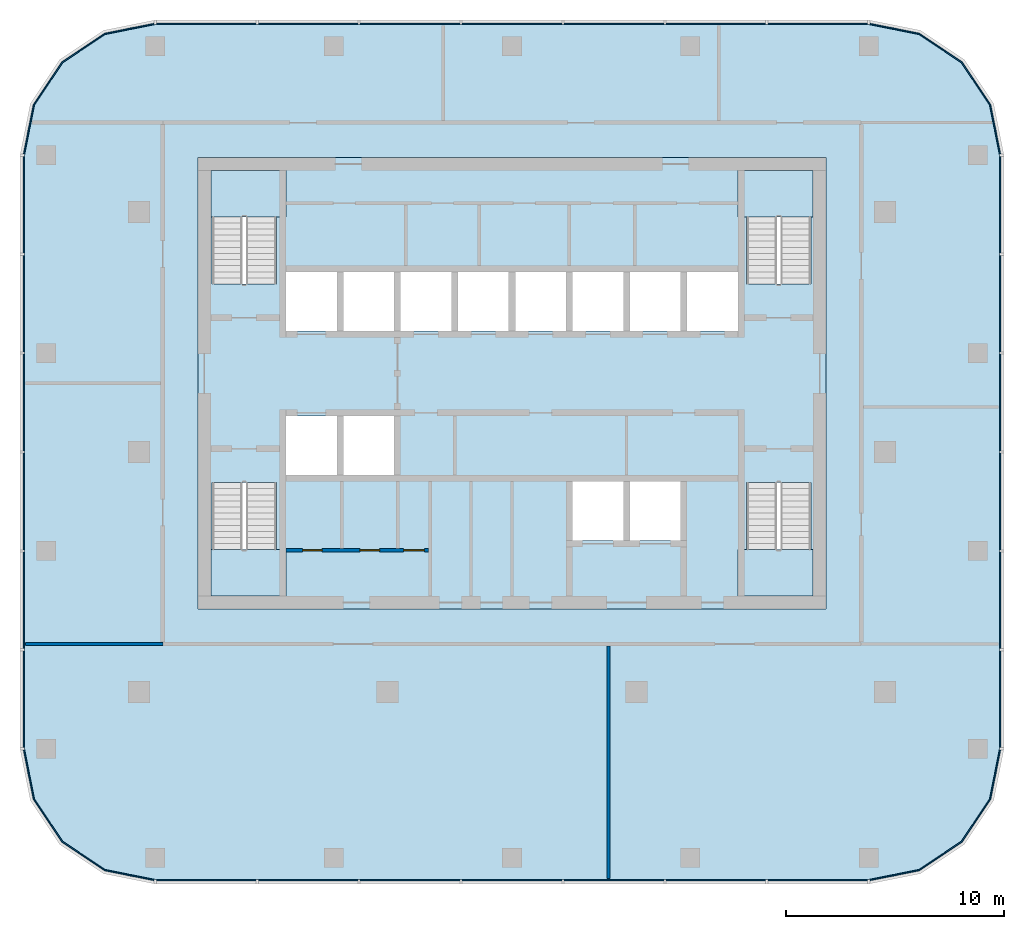
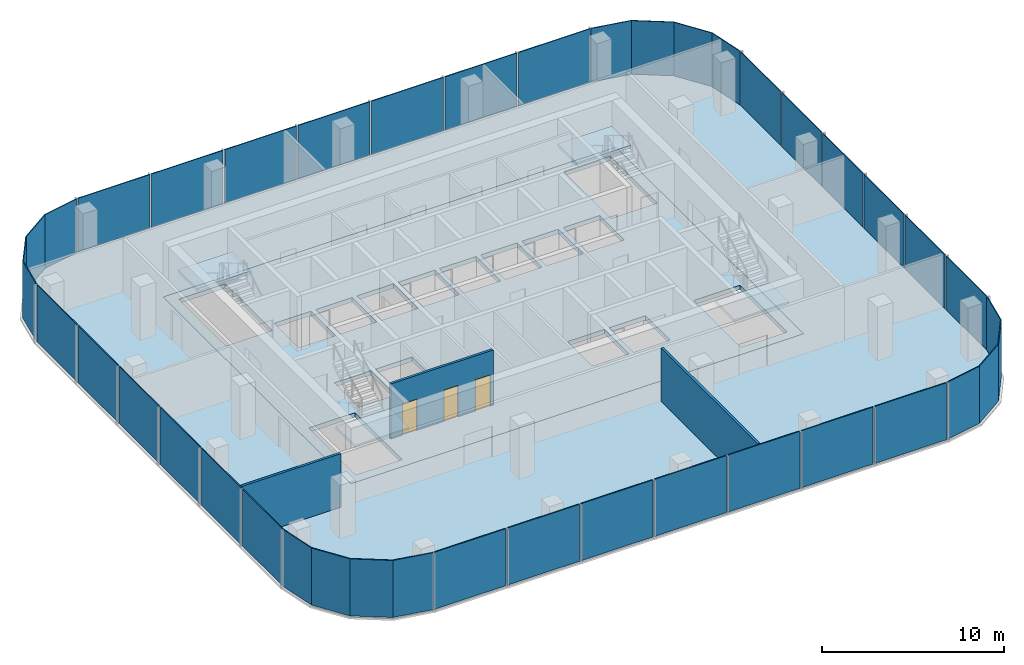
# One storey, part 5 of 9: 30 plates, 6 slabs, 3 doors, 3 walls, 3 openings, 12 elements without a shape of their own.
"""IFC4 building model written with IfcOpenShell, lengths in metres."""

from ifc_helpers import new_model, si_unit, direction, frame, frame_2d, origin, origin_2d, place, context, subcontext, project, spatial, polyline, rectangle, outline, extrude, material, layer, layer_set, type_object, element, fill, aggregate, save


model = new_model("IFC4")

# Units and contexts
model_context = context("Model", 3, precision=1e-05, world=origin(), true_north=direction((0.0, 1.0)))
body_context = subcontext(model_context, "Body", "Model", "MODEL_VIEW")
ifc_project = project(units=[si_unit("LENGTHUNIT", "METRE"), si_unit("AREAUNIT", "SQUARE_METRE"), si_unit("VOLUMEUNIT", "CUBIC_METRE"), si_unit("PLANEANGLEUNIT", "RADIAN"), si_unit("MASSUNIT", "GRAM", prefix="KILO")], contexts=[model_context])

# Site, building, storey
site_placement = place(None, origin())
site = spatial("IfcSite", under=ifc_project, at=site_placement, CompositionType="ELEMENT")
building_placement = place(site_placement, origin())
building = spatial("IfcBuilding", under=site, at=building_placement, Name="Mopane Tessera Tower", CompositionType="ELEMENT")
storey_placement = place(building_placement, frame((0.0, 0.0, 353.39990234375)))
storey = spatial("IfcBuildingStorey", under=building, at=storey_placement, Name="L77", CompositionType="ELEMENT", Elevation=353.39990234375)

# Slab
ifc_material_1 = material(Name="Concrete C40/50", Category="concrete")
ifc_layer_1 = layer(ifc_material_1, 0.300048828125)
ifc_layer_set_1 = layer_set([ifc_layer_1], Name="Concrete C40/50")
slab_type_1 = type_object("IfcSlabType", Name="Core floor slab 300 mm", PredefinedType="FLOOR", material=ifc_layer_set_1)
slab_1_placement = place(storey_placement, frame((0.0, 0.0, -0.2998046875)))
element("IfcSlab", 1, at=slab_1_placement, inside=storey, type_object=slab_type_1, Name="L77 core floor slab", PredefinedType="FLOOR", context=body_context, shape_type="SweptSolid", body=[
    extrude(outline(polyline([(-14.39990234375, -7.199951171875), (14.39990234375, -7.199951171875), (14.39990234375, 13.5), (-14.39990234375, 13.5), (-14.39990234375, -7.199951171875)]), holes=[polyline([(-10.35009765625, -1.050048828125), (-8.02490234375, -1.050048828125), (-8.02490234375, 1.64990234375), (-10.35009765625, 1.64990234375), (-10.35009765625, -1.050048828125)]), polyline([(-7.72509765625, -1.050048828125), (-5.39990234375, -1.050048828125), (-5.39990234375, 1.64990234375), (-7.72509765625, 1.64990234375), (-7.72509765625, -1.050048828125)]), polyline([(-10.35009765625, 5.550048828125), (-8.02490234375, 5.550048828125), (-8.02490234375, 8.25), (-10.35009765625, 8.25), (-10.35009765625, 5.550048828125)]), polyline([(-7.72509765625, 5.550048828125), (-5.39990234375, 5.550048828125), (-5.39990234375, 8.25), (-7.72509765625, 8.25), (-7.72509765625, 5.550048828125)]), polyline([(-5.10009765625, 5.550048828125), (-2.77490234375, 5.550048828125), (-2.77490234375, 8.25), (-5.10009765625, 8.25), (-5.10009765625, 5.550048828125)]), polyline([(-2.47509765625, 5.550048828125), (-0.14990234375, 5.550048828125), (-0.14990234375, 8.25), (-2.47509765625, 8.25), (-2.47509765625, 5.550048828125)]), polyline([(0.14990234375, 5.550048828125), (2.47509765625, 5.550048828125), (2.47509765625, 8.25), (0.14990234375, 8.25), (0.14990234375, 5.550048828125)]), polyline([(2.77490234375, 5.550048828125), (5.10009765625, 5.550048828125), (5.10009765625, 8.25), (2.77490234375, 8.25), (2.77490234375, 5.550048828125)]), polyline([(5.39990234375, 5.550048828125), (7.72509765625, 5.550048828125), (7.72509765625, 8.25), (5.39990234375, 8.25), (5.39990234375, 5.550048828125)]), polyline([(8.02490234375, 5.550048828125), (10.35009765625, 5.550048828125), (10.35009765625, 8.25), (8.02490234375, 8.25), (8.02490234375, 5.550048828125)]), polyline([(2.77490234375, -4.050048828125), (5.10009765625, -4.050048828125), (5.10009765625, -1.35009765625), (2.77490234375, -1.35009765625), (2.77490234375, -4.050048828125)]), polyline([(5.39990234375, -4.050048828125), (7.72509765625, -4.050048828125), (7.72509765625, -1.35009765625), (5.39990234375, -1.35009765625), (5.39990234375, -4.050048828125)]), polyline([(-13.75, -1.405029296875), (-13.75, -6.60009765625), (-10.800048828125, -6.60009765625), (-10.800048828125, -1.405029296875), (-13.75, -1.405029296875)]), polyline([(-10.800048828125, 7.705078125), (-10.800048828125, 12.89990234375), (-13.75, 12.89990234375), (-13.75, 7.705078125), (-10.800048828125, 7.705078125)]), polyline([(10.75, -1.405029296875), (10.75, -6.60009765625), (13.699951171875, -6.60009765625), (13.699951171875, -1.405029296875), (10.75, -1.405029296875)]), polyline([(13.699951171875, 7.705078125), (13.699951171875, 12.89990234375), (10.75, 12.89990234375), (10.75, 7.705078125), (13.699951171875, 7.705078125)])]), origin(), (0.0, 0.0, 1.0), 0.2998046875),
])

# Stair, slab
ifc_material_2 = material(Name="Concrete C50/60", Category="concrete")
stair_type = type_object("IfcStairType", Name="Escape stair 1400 mm, riser 167 mm", PredefinedType="HALF_TURN_STAIR", material=ifc_material_2)
stair_1_placement = place(storey_placement, origin())
stair_1 = element("IfcStair", 2, at=stair_1_placement, inside=storey, type_object=stair_type, Name="L77 Escape stair south-west", PredefinedType="HALF_TURN_STAIR")
ifc_material_3 = material(Name="Concrete C50/60", Category="concrete")
ifc_layer_2 = layer(ifc_material_3, 0.199951171875)
ifc_layer_set_2 = layer_set([ifc_layer_2], Name="Concrete C50/60")
slab_type_2 = type_object("IfcSlabType", Name="Escape stair landing 200 mm", PredefinedType="LANDING", material=ifc_layer_set_2)
slab_2_placement = place(storey_placement, frame((0.0, 0.0, 1.800048828125)))
slab_2 = element("IfcSlab", 3, at=slab_2_placement, type_object=slab_type_2, Name="ST1 landing 1", PredefinedType="LANDING", context=body_context, shape_type="SweptSolid", body=[
    extrude(outline(polyline([(-13.800048828125, -4.47998046875), (-13.800048828125, -6.60009765625), (-10.35009765625, -6.60009765625), (-10.35009765625, -4.47998046875), (-13.800048828125, -4.47998046875)])), origin(), (0.0, 0.0, 1.0), 0.199951171875),
])
aggregate(stair_1, [slab_2])

stair_2_placement = place(storey_placement, origin())
stair_2 = element("IfcStair", 4, at=stair_2_placement, inside=storey, type_object=stair_type, Name="L77 Escape stair north-west", PredefinedType="HALF_TURN_STAIR")
slab_3_placement = place(storey_placement, frame((0.0, 0.0, 1.800048828125)))
slab_3 = element("IfcSlab", 5, at=slab_3_placement, type_object=slab_type_2, Name="ST2 landing 1", PredefinedType="LANDING", context=body_context, shape_type="SweptSolid", body=[
    extrude(outline(polyline([(-10.35009765625, 10.780029296875), (-10.35009765625, 12.89990234375), (-13.800048828125, 12.89990234375), (-13.800048828125, 10.780029296875), (-10.35009765625, 10.780029296875)])), origin(), (0.0, 0.0, 1.0), 0.199951171875),
])
aggregate(stair_2, [slab_3])

stair_3_placement = place(storey_placement, origin())
stair_3 = element("IfcStair", 6, at=stair_3_placement, inside=storey, type_object=stair_type, Name="L77 Escape stair south-east", PredefinedType="HALF_TURN_STAIR")
slab_4_placement = place(storey_placement, frame((0.0, 0.0, 1.800048828125)))
slab_4 = element("IfcSlab", 7, at=slab_4_placement, type_object=slab_type_2, Name="ST3 landing 1", PredefinedType="LANDING", context=body_context, shape_type="SweptSolid", body=[
    extrude(outline(polyline([(10.35009765625, -4.47998046875), (10.35009765625, -6.60009765625), (13.800048828125, -6.60009765625), (13.800048828125, -4.47998046875), (10.35009765625, -4.47998046875)])), origin(), (0.0, 0.0, 1.0), 0.199951171875),
])
aggregate(stair_3, [slab_4])

stair_4_placement = place(storey_placement, origin())
stair_4 = element("IfcStair", 8, at=stair_4_placement, inside=storey, type_object=stair_type, Name="L77 Escape stair north-east", PredefinedType="HALF_TURN_STAIR")
slab_5_placement = place(storey_placement, frame((0.0, 0.0, 1.800048828125)))
slab_5 = element("IfcSlab", 9, at=slab_5_placement, type_object=slab_type_2, Name="ST4 landing 1", PredefinedType="LANDING", context=body_context, shape_type="SweptSolid", body=[
    extrude(outline(polyline([(13.800048828125, 10.780029296875), (13.800048828125, 12.89990234375), (10.35009765625, 12.89990234375), (10.35009765625, 10.780029296875), (13.800048828125, 10.780029296875)])), origin(), (0.0, 0.0, 1.0), 0.199951171875),
])
aggregate(stair_4, [slab_5])

# Slab
ifc_material_4 = material(Name="Concrete C40/50", Category="concrete")
ifc_layer_3 = layer(ifc_material_4, 0.35009765625)
ifc_layer_set_3 = layer_set([ifc_layer_3], Name="Concrete C40/50")
slab_type_3 = type_object("IfcSlabType", Name="Post-tensioned flat plate 350 mm", PredefinedType="FLOOR", material=ifc_layer_set_3)
slab_6_placement = place(storey_placement, frame((0.0, 0.0, -0.349853515625)))
element("IfcSlab", 10, at=slab_6_placement, inside=storey, type_object=slab_type_3, Name="Floor slab L77", PredefinedType="FLOOR", context=body_context, shape_type="SweptSolid", body=[
    extrude(outline(polyline([(-16.35009765625, -19.60009765625), (16.35009765625, -19.60009765625), (18.64599609375, -19.143310546875), (20.592529296875, -17.842529296875), (21.893310546875, -15.89599609375), (22.35009765625, -13.60009765625), (22.35009765625, 13.60009765625), (21.893310546875, 15.89599609375), (20.592529296875, 17.842529296875), (18.64599609375, 19.143310546875), (16.35009765625, 19.60009765625), (-16.35009765625, 19.60009765625), (-18.64599609375, 19.143310546875), (-20.592529296875, 17.842529296875), (-21.893310546875, 15.89599609375), (-22.35009765625, 13.60009765625), (-22.35009765625, -13.60009765625), (-21.893310546875, -15.89599609375), (-20.592529296875, -17.842529296875), (-18.64599609375, -19.143310546875), (-16.35009765625, -19.60009765625)]), holes=[polyline([(14.39990234375, -7.199951171875), (-14.39990234375, -7.199951171875), (-14.39990234375, 13.5), (14.39990234375, 13.5), (14.39990234375, -7.199951171875)])]), origin(), (0.0, 0.0, 1.0), 0.349853515625),
])

# Curtain wall, plates
ifc_material_5 = material(Name="Aluminium frame", Category="aluminium")
curtain_wall_type = type_object("IfcCurtainWallType", Name="Unitised curtain wall", PredefinedType="NOTDEFINED", material=ifc_material_5)
curtain_wall_1_placement = place(storey_placement, origin())
curtain_wall_1 = element("IfcCurtainWall", 11, at=curtain_wall_1_placement, inside=storey, type_object=curtain_wall_type, Name="e:cw:L77:S:0", PredefinedType="NOTDEFINED")
ifc_material_6 = material(Name="Clear laminated glass", Category="glass")
ifc_layer_4 = layer(ifc_material_6, 0.06005859375)
ifc_layer_set_4 = layer_set([ifc_layer_4], Name="Clear laminated glass")
plate_type = type_object("IfcPlateType", Name="Unitised glazed unit", PredefinedType="CURTAIN_PANEL", material=ifc_layer_set_4)
plate_1_placement = place(storey_placement, frame((-14.014404296875, -19.6298828125, -0.22998046875), z_axis=(0.0, 0.0, 1.0), x_axis=(1.0, 0.0, 0.0)))
plate_1 = element("IfcPlate", 12, at=plate_1_placement, type_object=plate_type, Name="e:cw:L77:S:0:pn0", PredefinedType="CURTAIN_PANEL", context=body_context, shape_type="SweptSolid", body=[
    extrude(rectangle(XDim=4.571533203125, YDim=0.06005859375, at=origin_2d()), origin(), (0.0, 0.0, 1.0), 3.830078125),
])
plate_2_placement = place(storey_placement, frame((-9.3427734375, -19.6298828125, -0.22998046875), z_axis=(0.0, 0.0, 1.0), x_axis=(1.0, 0.0, 0.0)))
plate_2 = element("IfcPlate", 13, at=plate_2_placement, type_object=plate_type, Name="e:cw:L77:S:0:pn1", PredefinedType="CURTAIN_PANEL", context=body_context, shape_type="SweptSolid", body=[
    extrude(rectangle(XDim=4.571533203125, YDim=0.06005859375, at=origin_2d()), origin(), (0.0, 0.0, 1.0), 3.830078125),
])
plate_3_placement = place(storey_placement, frame((-4.67138671875, -19.6298828125, -0.22998046875), z_axis=(0.0, 0.0, 1.0), x_axis=(1.0, 0.0, 0.0)))
plate_3 = element("IfcPlate", 14, at=plate_3_placement, type_object=plate_type, Name="e:cw:L77:S:0:pn2", PredefinedType="CURTAIN_PANEL", context=body_context, shape_type="SweptSolid", body=[
    extrude(rectangle(XDim=4.571533203125, YDim=0.06005859375, at=origin_2d()), origin(), (0.0, 0.0, 1.0), 3.830078125),
])
plate_4_placement = place(storey_placement, frame((0.0, -19.6298828125, -0.22998046875), z_axis=(0.0, 0.0, 1.0), x_axis=(1.0, 0.0, 0.0)))
plate_4 = element("IfcPlate", 15, at=plate_4_placement, type_object=plate_type, Name="e:cw:L77:S:0:pn3", PredefinedType="CURTAIN_PANEL", context=body_context, shape_type="SweptSolid", body=[
    extrude(rectangle(XDim=4.571533203125, YDim=0.06005859375, at=origin_2d()), origin(), (0.0, 0.0, 1.0), 3.830078125),
])
plate_5_placement = place(storey_placement, frame((4.67138671875, -19.6298828125, -0.22998046875), z_axis=(0.0, 0.0, 1.0), x_axis=(1.0, 0.0, 0.0)))
plate_5 = element("IfcPlate", 16, at=plate_5_placement, type_object=plate_type, Name="e:cw:L77:S:0:pn4", PredefinedType="CURTAIN_PANEL", context=body_context, shape_type="SweptSolid", body=[
    extrude(rectangle(XDim=4.571533203125, YDim=0.06005859375, at=origin_2d()), origin(), (0.0, 0.0, 1.0), 3.830078125),
])
plate_6_placement = place(storey_placement, frame((9.3427734375, -19.6298828125, -0.22998046875), z_axis=(0.0, 0.0, 1.0), x_axis=(1.0, 0.0, 0.0)))
plate_6 = element("IfcPlate", 17, at=plate_6_placement, type_object=plate_type, Name="e:cw:L77:S:0:pn5", PredefinedType="CURTAIN_PANEL", context=body_context, shape_type="SweptSolid", body=[
    extrude(rectangle(XDim=4.571533203125, YDim=0.06005859375, at=origin_2d()), origin(), (0.0, 0.0, 1.0), 3.830078125),
])
plate_7_placement = place(storey_placement, frame((14.014404296875, -19.6298828125, -0.22998046875), z_axis=(0.0, 0.0, 1.0), x_axis=(1.0, 0.0, 0.0)))
plate_7 = element("IfcPlate", 18, at=plate_7_placement, type_object=plate_type, Name="e:cw:L77:S:0:pn6", PredefinedType="CURTAIN_PANEL", context=body_context, shape_type="SweptSolid", body=[
    extrude(rectangle(XDim=4.571533203125, YDim=0.06005859375, at=origin_2d()), origin(), (0.0, 0.0, 1.0), 3.830078125),
])
aggregate(curtain_wall_1, [plate_1, plate_2, plate_3, plate_4, plate_5, plate_6, plate_7])

# Curtain wall, plate
curtain_wall_2_placement = place(storey_placement, origin())
curtain_wall_2 = element("IfcCurtainWall", 19, at=curtain_wall_2_placement, inside=storey, type_object=curtain_wall_type, Name="e:cw:L77:CS", PredefinedType="NOTDEFINED")
plate_8_placement = place(storey_placement, frame((0.0, 0.0, -0.22998046875)))
plate_8 = element("IfcPlate", 20, at=plate_8_placement, type_object=plate_type, Name="e:cw:L77:CS:pn", PredefinedType="CURTAIN_PANEL", context=body_context, shape_type="SweptSolid", body=[
    extrude(outline(polyline([(16.35009765625, -19.60009765625), (18.64599609375, -19.143310546875), (20.592529296875, -17.842529296875), (21.893310546875, -15.89599609375), (22.35009765625, -13.60009765625), (22.409912109375, -13.60009765625), (21.94873046875, -15.9189453125), (20.635009765625, -17.885009765625), (18.6689453125, -19.19873046875), (16.35009765625, -19.659912109375), (16.35009765625, -19.60009765625)])), origin(), (0.0, 0.0, 1.0), 3.830078125),
])
aggregate(curtain_wall_2, [plate_8])

# Curtain wall, plates
curtain_wall_3_placement = place(storey_placement, origin())
curtain_wall_3 = element("IfcCurtainWall", 21, at=curtain_wall_3_placement, inside=storey, type_object=curtain_wall_type, Name="e:cw:L77:E:0", PredefinedType="NOTDEFINED")
plate_9_placement = place(storey_placement, frame((22.3798828125, -11.333251953125, -0.22998046875), z_axis=(0.0, 0.0, 1.0), x_axis=(0.0, 1.0, 0.0)))
plate_9 = element("IfcPlate", 22, at=plate_9_placement, type_object=plate_type, Name="e:cw:L77:E:0:pn0", PredefinedType="CURTAIN_PANEL", context=body_context, shape_type="SweptSolid", body=[
    extrude(rectangle(XDim=4.433349609375, YDim=0.06005859375, at=origin_2d()), origin(), (0.0, 0.0, 1.0), 3.830078125),
])
plate_10_placement = place(storey_placement, frame((22.3798828125, -6.800048828125, -0.22998046875), z_axis=(0.0, 0.0, 1.0), x_axis=(0.0, 1.0, 0.0)))
plate_10 = element("IfcPlate", 23, at=plate_10_placement, type_object=plate_type, Name="e:cw:L77:E:0:pn1", PredefinedType="CURTAIN_PANEL", context=body_context, shape_type="SweptSolid", body=[
    extrude(rectangle(XDim=4.433349609375, YDim=0.06005859375, at=origin_2d()), origin(), (0.0, 0.0, 1.0), 3.830078125),
])
plate_11_placement = place(storey_placement, frame((22.3798828125, -2.2666015625, -0.22998046875), z_axis=(0.0, 0.0, 1.0), x_axis=(0.0, 1.0, 0.0)))
plate_11 = element("IfcPlate", 24, at=plate_11_placement, type_object=plate_type, Name="e:cw:L77:E:0:pn2", PredefinedType="CURTAIN_PANEL", context=body_context, shape_type="SweptSolid", body=[
    extrude(rectangle(XDim=4.433349609375, YDim=0.06005859375, at=origin_2d()), origin(), (0.0, 0.0, 1.0), 3.830078125),
])
plate_12_placement = place(storey_placement, frame((22.3798828125, 2.2666015625, -0.22998046875), z_axis=(0.0, 0.0, 1.0), x_axis=(0.0, 1.0, 0.0)))
plate_12 = element("IfcPlate", 25, at=plate_12_placement, type_object=plate_type, Name="e:cw:L77:E:0:pn3", PredefinedType="CURTAIN_PANEL", context=body_context, shape_type="SweptSolid", body=[
    extrude(rectangle(XDim=4.433349609375, YDim=0.06005859375, at=origin_2d()), origin(), (0.0, 0.0, 1.0), 3.830078125),
])
plate_13_placement = place(storey_placement, frame((22.3798828125, 6.800048828125, -0.22998046875), z_axis=(0.0, 0.0, 1.0), x_axis=(0.0, 1.0, 0.0)))
plate_13 = element("IfcPlate", 26, at=plate_13_placement, type_object=plate_type, Name="e:cw:L77:E:0:pn4", PredefinedType="CURTAIN_PANEL", context=body_context, shape_type="SweptSolid", body=[
    extrude(rectangle(XDim=4.433349609375, YDim=0.06005859375, at=origin_2d()), origin(), (0.0, 0.0, 1.0), 3.830078125),
])
plate_14_placement = place(storey_placement, frame((22.3798828125, 11.333251953125, -0.22998046875), z_axis=(0.0, 0.0, 1.0), x_axis=(0.0, 1.0, 0.0)))
plate_14 = element("IfcPlate", 27, at=plate_14_placement, type_object=plate_type, Name="e:cw:L77:E:0:pn5", PredefinedType="CURTAIN_PANEL", context=body_context, shape_type="SweptSolid", body=[
    extrude(rectangle(XDim=4.433349609375, YDim=0.06005859375, at=origin_2d()), origin(), (0.0, 0.0, 1.0), 3.830078125),
])
aggregate(curtain_wall_3, [plate_9, plate_10, plate_11, plate_12, plate_13, plate_14])

# Curtain wall, plate
curtain_wall_4_placement = place(storey_placement, origin())
curtain_wall_4 = element("IfcCurtainWall", 28, at=curtain_wall_4_placement, inside=storey, type_object=curtain_wall_type, Name="e:cw:L77:CE", PredefinedType="NOTDEFINED")
plate_15_placement = place(storey_placement, frame((0.0, 0.0, -0.22998046875)))
plate_15 = element("IfcPlate", 29, at=plate_15_placement, type_object=plate_type, Name="e:cw:L77:CE:pn", PredefinedType="CURTAIN_PANEL", context=body_context, shape_type="SweptSolid", body=[
    extrude(outline(polyline([(22.35009765625, 13.60009765625), (21.893310546875, 15.89599609375), (20.592529296875, 17.842529296875), (18.64599609375, 19.143310546875), (16.35009765625, 19.60009765625), (16.35009765625, 19.659912109375), (18.6689453125, 19.19873046875), (20.635009765625, 17.885009765625), (21.94873046875, 15.9189453125), (22.409912109375, 13.60009765625), (22.35009765625, 13.60009765625)])), origin(), (0.0, 0.0, 1.0), 3.830078125),
])
aggregate(curtain_wall_4, [plate_15])

# Curtain wall, plates
curtain_wall_5_placement = place(storey_placement, origin())
curtain_wall_5 = element("IfcCurtainWall", 30, at=curtain_wall_5_placement, inside=storey, type_object=curtain_wall_type, Name="e:cw:L77:N:0", PredefinedType="NOTDEFINED")
plate_16_placement = place(storey_placement, frame((14.014404296875, 19.6298828125, -0.22998046875), z_axis=(0.0, 0.0, 1.0), x_axis=(-1.0, 0.0, 0.0)))
plate_16 = element("IfcPlate", 31, at=plate_16_placement, type_object=plate_type, Name="e:cw:L77:N:0:pn0", PredefinedType="CURTAIN_PANEL", context=body_context, shape_type="SweptSolid", body=[
    extrude(rectangle(XDim=4.571533203125, YDim=0.06005859375, at=origin_2d()), origin(), (0.0, 0.0, 1.0), 3.830078125),
])
plate_17_placement = place(storey_placement, frame((9.3427734375, 19.6298828125, -0.22998046875), z_axis=(0.0, 0.0, 1.0), x_axis=(-1.0, 0.0, 0.0)))
plate_17 = element("IfcPlate", 32, at=plate_17_placement, type_object=plate_type, Name="e:cw:L77:N:0:pn1", PredefinedType="CURTAIN_PANEL", context=body_context, shape_type="SweptSolid", body=[
    extrude(rectangle(XDim=4.571533203125, YDim=0.06005859375, at=origin_2d()), origin(), (0.0, 0.0, 1.0), 3.830078125),
])
plate_18_placement = place(storey_placement, frame((4.67138671875, 19.6298828125, -0.22998046875), z_axis=(0.0, 0.0, 1.0), x_axis=(-1.0, 0.0, 0.0)))
plate_18 = element("IfcPlate", 33, at=plate_18_placement, type_object=plate_type, Name="e:cw:L77:N:0:pn2", PredefinedType="CURTAIN_PANEL", context=body_context, shape_type="SweptSolid", body=[
    extrude(rectangle(XDim=4.571533203125, YDim=0.06005859375, at=origin_2d()), origin(), (0.0, 0.0, 1.0), 3.830078125),
])
plate_19_placement = place(storey_placement, frame((0.0, 19.6298828125, -0.22998046875), z_axis=(0.0, 0.0, 1.0), x_axis=(-1.0, 0.0, 0.0)))
plate_19 = element("IfcPlate", 34, at=plate_19_placement, type_object=plate_type, Name="e:cw:L77:N:0:pn3", PredefinedType="CURTAIN_PANEL", context=body_context, shape_type="SweptSolid", body=[
    extrude(rectangle(XDim=4.571533203125, YDim=0.06005859375, at=origin_2d()), origin(), (0.0, 0.0, 1.0), 3.830078125),
])
plate_20_placement = place(storey_placement, frame((-4.67138671875, 19.6298828125, -0.22998046875), z_axis=(0.0, 0.0, 1.0), x_axis=(-1.0, 0.0, 0.0)))
plate_20 = element("IfcPlate", 35, at=plate_20_placement, type_object=plate_type, Name="e:cw:L77:N:0:pn4", PredefinedType="CURTAIN_PANEL", context=body_context, shape_type="SweptSolid", body=[
    extrude(rectangle(XDim=4.571533203125, YDim=0.06005859375, at=origin_2d()), origin(), (0.0, 0.0, 1.0), 3.830078125),
])
plate_21_placement = place(storey_placement, frame((-9.3427734375, 19.6298828125, -0.22998046875), z_axis=(0.0, 0.0, 1.0), x_axis=(-1.0, 0.0, 0.0)))
plate_21 = element("IfcPlate", 36, at=plate_21_placement, type_object=plate_type, Name="e:cw:L77:N:0:pn5", PredefinedType="CURTAIN_PANEL", context=body_context, shape_type="SweptSolid", body=[
    extrude(rectangle(XDim=4.571533203125, YDim=0.06005859375, at=origin_2d()), origin(), (0.0, 0.0, 1.0), 3.830078125),
])
plate_22_placement = place(storey_placement, frame((-14.014404296875, 19.6298828125, -0.22998046875), z_axis=(0.0, 0.0, 1.0), x_axis=(-1.0, 0.0, 0.0)))
plate_22 = element("IfcPlate", 37, at=plate_22_placement, type_object=plate_type, Name="e:cw:L77:N:0:pn6", PredefinedType="CURTAIN_PANEL", context=body_context, shape_type="SweptSolid", body=[
    extrude(rectangle(XDim=4.571533203125, YDim=0.06005859375, at=origin_2d()), origin(), (0.0, 0.0, 1.0), 3.830078125),
])
aggregate(curtain_wall_5, [plate_16, plate_17, plate_18, plate_19, plate_20, plate_21, plate_22])

# Curtain wall, plate
curtain_wall_6_placement = place(storey_placement, origin())
curtain_wall_6 = element("IfcCurtainWall", 38, at=curtain_wall_6_placement, inside=storey, type_object=curtain_wall_type, Name="e:cw:L77:CN", PredefinedType="NOTDEFINED")
plate_23_placement = place(storey_placement, frame((0.0, 0.0, -0.22998046875)))
plate_23 = element("IfcPlate", 39, at=plate_23_placement, type_object=plate_type, Name="e:cw:L77:CN:pn", PredefinedType="CURTAIN_PANEL", context=body_context, shape_type="SweptSolid", body=[
    extrude(outline(polyline([(-16.35009765625, 19.60009765625), (-18.64599609375, 19.143310546875), (-20.592529296875, 17.842529296875), (-21.893310546875, 15.89599609375), (-22.35009765625, 13.60009765625), (-22.409912109375, 13.60009765625), (-21.94873046875, 15.9189453125), (-20.635009765625, 17.885009765625), (-18.6689453125, 19.19873046875), (-16.35009765625, 19.659912109375), (-16.35009765625, 19.60009765625)])), origin(), (0.0, 0.0, 1.0), 3.830078125),
])
aggregate(curtain_wall_6, [plate_23])

# Curtain wall, plates
curtain_wall_7_placement = place(storey_placement, origin())
curtain_wall_7 = element("IfcCurtainWall", 40, at=curtain_wall_7_placement, inside=storey, type_object=curtain_wall_type, Name="e:cw:L77:W:0", PredefinedType="NOTDEFINED")
plate_24_placement = place(storey_placement, frame((-22.3798828125, 11.333251953125, -0.22998046875), z_axis=(0.0, 0.0, 1.0), x_axis=(0.0, -1.0, 0.0)))
plate_24 = element("IfcPlate", 41, at=plate_24_placement, type_object=plate_type, Name="e:cw:L77:W:0:pn0", PredefinedType="CURTAIN_PANEL", context=body_context, shape_type="SweptSolid", body=[
    extrude(rectangle(XDim=4.433349609375, YDim=0.06005859375, at=origin_2d()), origin(), (0.0, 0.0, 1.0), 3.830078125),
])
plate_25_placement = place(storey_placement, frame((-22.3798828125, 6.800048828125, -0.22998046875), z_axis=(0.0, 0.0, 1.0), x_axis=(0.0, -1.0, 0.0)))
plate_25 = element("IfcPlate", 42, at=plate_25_placement, type_object=plate_type, Name="e:cw:L77:W:0:pn1", PredefinedType="CURTAIN_PANEL", context=body_context, shape_type="SweptSolid", body=[
    extrude(rectangle(XDim=4.433349609375, YDim=0.06005859375, at=origin_2d()), origin(), (0.0, 0.0, 1.0), 3.830078125),
])
plate_26_placement = place(storey_placement, frame((-22.3798828125, 2.2666015625, -0.22998046875), z_axis=(0.0, 0.0, 1.0), x_axis=(0.0, -1.0, 0.0)))
plate_26 = element("IfcPlate", 43, at=plate_26_placement, type_object=plate_type, Name="e:cw:L77:W:0:pn2", PredefinedType="CURTAIN_PANEL", context=body_context, shape_type="SweptSolid", body=[
    extrude(rectangle(XDim=4.433349609375, YDim=0.06005859375, at=origin_2d()), origin(), (0.0, 0.0, 1.0), 3.830078125),
])
plate_27_placement = place(storey_placement, frame((-22.3798828125, -2.2666015625, -0.22998046875), z_axis=(0.0, 0.0, 1.0), x_axis=(0.0, -1.0, 0.0)))
plate_27 = element("IfcPlate", 44, at=plate_27_placement, type_object=plate_type, Name="e:cw:L77:W:0:pn3", PredefinedType="CURTAIN_PANEL", context=body_context, shape_type="SweptSolid", body=[
    extrude(rectangle(XDim=4.433349609375, YDim=0.06005859375, at=origin_2d()), origin(), (0.0, 0.0, 1.0), 3.830078125),
])
plate_28_placement = place(storey_placement, frame((-22.3798828125, -6.800048828125, -0.22998046875), z_axis=(0.0, 0.0, 1.0), x_axis=(0.0, -1.0, 0.0)))
plate_28 = element("IfcPlate", 45, at=plate_28_placement, type_object=plate_type, Name="e:cw:L77:W:0:pn4", PredefinedType="CURTAIN_PANEL", context=body_context, shape_type="SweptSolid", body=[
    extrude(rectangle(XDim=4.433349609375, YDim=0.06005859375, at=origin_2d()), origin(), (0.0, 0.0, 1.0), 3.830078125),
])
plate_29_placement = place(storey_placement, frame((-22.3798828125, -11.333251953125, -0.22998046875), z_axis=(0.0, 0.0, 1.0), x_axis=(0.0, -1.0, 0.0)))
plate_29 = element("IfcPlate", 46, at=plate_29_placement, type_object=plate_type, Name="e:cw:L77:W:0:pn5", PredefinedType="CURTAIN_PANEL", context=body_context, shape_type="SweptSolid", body=[
    extrude(rectangle(XDim=4.433349609375, YDim=0.06005859375, at=origin_2d()), origin(), (0.0, 0.0, 1.0), 3.830078125),
])
aggregate(curtain_wall_7, [plate_24, plate_25, plate_26, plate_27, plate_28, plate_29])

# Curtain wall, plate
curtain_wall_8_placement = place(storey_placement, origin())
curtain_wall_8 = element("IfcCurtainWall", 47, at=curtain_wall_8_placement, inside=storey, type_object=curtain_wall_type, Name="e:cw:L77:CW", PredefinedType="NOTDEFINED")
plate_30_placement = place(storey_placement, frame((0.0, 0.0, -0.22998046875)))
plate_30 = element("IfcPlate", 48, at=plate_30_placement, type_object=plate_type, Name="e:cw:L77:CW:pn", PredefinedType="CURTAIN_PANEL", context=body_context, shape_type="SweptSolid", body=[
    extrude(outline(polyline([(-22.35009765625, -13.60009765625), (-21.893310546875, -15.89599609375), (-20.592529296875, -17.842529296875), (-18.64599609375, -19.143310546875), (-16.35009765625, -19.60009765625), (-16.35009765625, -19.659912109375), (-18.6689453125, -19.19873046875), (-20.635009765625, -17.885009765625), (-21.94873046875, -15.9189453125), (-22.409912109375, -13.60009765625), (-22.35009765625, -13.60009765625)])), origin(), (0.0, 0.0, 1.0), 3.830078125),
])
aggregate(curtain_wall_8, [plate_30])

# Wall, openings, doors
ifc_material_7 = material(Name="Fire-rated gypsum board partition")
ifc_layer_5 = layer(ifc_material_7, 0.14990234375)
ifc_layer_set_5 = layer_set([ifc_layer_5], Name="Fire-rated gypsum board partition")
wall_type_1 = type_object("IfcWallType", Name="Core room partition 150 mm", PredefinedType="PARTITIONING", material=ifc_layer_set_5)
wall_1_placement = place(storey_placement, frame((-10.35009765625, -4.5, 0.0), z_axis=(0.0, 0.0, 1.0), x_axis=(1.0, 0.0, 0.0)))
wall_1 = element("IfcWall", 49, at=wall_1_placement, inside=storey, type_object=wall_type_1, Name="L77 WC partition", PredefinedType="PARTITIONING", context=body_context, shape_type="SweptSolid", body=[
    extrude(rectangle(XDim=6.525146484375, YDim=0.14990234375, at=frame_2d((3.2626953125, 0.0))), origin(), (0.0, 0.0, 1.0), 3.7001953125),
])
opening_1_placement = place(wall_1_placement, frame((0.75, 0.0, 0.0)))
opening_1 = element("IfcOpeningElement", 50, at=opening_1_placement, cuts=wall_1, Name="Opening WD1", PredefinedType="OPENING", context=body_context, shape_type="SweptSolid", body=[
    extrude(rectangle(XDim=0.89990234375, YDim=2.10009765625, at=frame_2d((0.449951171875, 1.050048828125))), frame((0.0, 0.0869140625, 0.0), z_axis=(0.0, -1.0, 0.0), x_axis=(1.0, 0.0, 0.0)), (0.0, 0.0, 1.0), 0.173828125),
])
opening_2_placement = place(wall_1_placement, frame((3.382568359375, 0.0, 0.0)))
opening_2 = element("IfcOpeningElement", 51, at=opening_2_placement, cuts=wall_1, Name="Opening WD1", PredefinedType="OPENING", context=body_context, shape_type="SweptSolid", body=[
    extrude(rectangle(XDim=0.89990234375, YDim=2.10009765625, at=frame_2d((0.449951171875, 1.050048828125))), frame((0.0, 0.0869140625, 0.0), z_axis=(0.0, -1.0, 0.0), x_axis=(1.0, 0.0, 0.0)), (0.0, 0.0, 1.0), 0.173828125),
])
opening_3_placement = place(wall_1_placement, frame((5.382568359375, 0.0, 0.0)))
opening_3 = element("IfcOpeningElement", 52, at=opening_3_placement, cuts=wall_1, Name="Opening WD2", PredefinedType="OPENING", context=body_context, shape_type="SweptSolid", body=[
    extrude(rectangle(XDim=0.949951171875, YDim=2.10009765625, at=frame_2d((0.47509765625, 1.050048828125))), frame((0.0, 0.0869140625, 0.0), z_axis=(0.0, -1.0, 0.0), x_axis=(1.0, 0.0, 0.0)), (0.0, 0.0, 1.0), 0.173828125),
])
ifc_material_8 = material(Name="Timber door", Category="wood")
door_type_1 = type_object("IfcDoorType", Name="Accessible WC door 950 x 2100", OperationType="SINGLE_SWING_LEFT", PredefinedType="DOOR", material=ifc_material_8)
door_1_placement = place(opening_3_placement, origin())
door_1 = element("IfcDoor", 53, at=door_1_placement, inside=storey, type_object=door_type_1, Name="L77 Accessible WC door", OperationType="SINGLE_SWING_LEFT", OverallHeight=2.10009765625, OverallWidth=0.949951171875, PredefinedType="DOOR", context=body_context, shape_type="SweptSolid", body=[
    extrude(rectangle(XDim=0.949951171875, YDim=2.10009765625, at=frame_2d((0.47509765625, 1.050048828125))), frame((0.0, 0.02490234375, 0.0), z_axis=(0.0, -1.0, 0.0), x_axis=(1.0, 0.0, 0.0)), (0.0, 0.0, 1.0), 0.050048828125),
])
fill(opening_3, door_1)
ifc_material_9 = material(Name="Timber door", Category="wood")
door_type_2 = type_object("IfcDoorType", Name="WC cubicle door 900 x 2100", OperationType="SINGLE_SWING_LEFT", PredefinedType="DOOR", material=ifc_material_9)
door_2_placement = place(opening_1_placement, origin())
door_2 = element("IfcDoor", 54, at=door_2_placement, inside=storey, type_object=door_type_2, Name="L77 Men's WC door", OperationType="SINGLE_SWING_LEFT", OverallHeight=2.10009765625, OverallWidth=0.89990234375, PredefinedType="DOOR", context=body_context, shape_type="SweptSolid", body=[
    extrude(rectangle(XDim=0.89990234375, YDim=2.10009765625, at=frame_2d((0.449951171875, 1.050048828125))), frame((0.0, 0.02490234375, 0.0), z_axis=(0.0, -1.0, 0.0), x_axis=(1.0, 0.0, 0.0)), (0.0, 0.0, 1.0), 0.050048828125),
])
fill(opening_1, door_2)
door_3_placement = place(opening_2_placement, origin())
door_3 = element("IfcDoor", 55, at=door_3_placement, inside=storey, type_object=door_type_2, Name="L77 Women's WC door", OperationType="SINGLE_SWING_LEFT", OverallHeight=2.10009765625, OverallWidth=0.89990234375, PredefinedType="DOOR", context=body_context, shape_type="SweptSolid", body=[
    extrude(rectangle(XDim=0.89990234375, YDim=2.10009765625, at=frame_2d((0.449951171875, 1.050048828125))), frame((0.0, 0.02490234375, 0.0), z_axis=(0.0, -1.0, 0.0), x_axis=(1.0, 0.0, 0.0)), (0.0, 0.0, 1.0), 0.050048828125),
])
fill(opening_2, door_3)

# Walls
ifc_material_10 = material(Name="Gypsum board on steel studs, mineral wool infill", Category="steel")
ifc_layer_6 = layer(ifc_material_10, 0.14990234375)
ifc_layer_set_6 = layer_set([ifc_layer_6], Name="Gypsum board on steel studs, mineral wool infill")
wall_type_2 = type_object("IfcWallType", Name="Gypsum board partition 150, rated EI 60", PredefinedType="PARTITIONING", material=ifc_layer_set_6)
wall_2_placement = place(storey_placement, frame((-22.300048828125, -8.800048828125, 0.0), z_axis=(0.0, 0.0, 1.0), x_axis=(1.0, 0.0, 0.0)))
element("IfcWall", 56, at=wall_2_placement, inside=storey, type_object=wall_type_2, Name="Partition L77:000", PredefinedType="PARTITIONING", context=body_context, shape_type="SweptSolid", body=[
    extrude(rectangle(XDim=6.300048828125, YDim=0.14990234375, at=frame_2d((3.14990234375, 0.0))), origin(), (0.0, 0.0, 1.0), 3.60009765625),
])
wall_3_placement = place(storey_placement, frame((4.419921875, -19.550048828125, 0.0), z_axis=(0.0, 0.0, 1.0), x_axis=(0.0, 1.0, 0.0)))
element("IfcWall", 57, at=wall_3_placement, inside=storey, type_object=wall_type_2, Name="Partition L77:010", PredefinedType="PARTITIONING", context=body_context, shape_type="SweptSolid", body=[
    extrude(rectangle(XDim=10.650146484375, YDim=0.14990234375, at=frame_2d((5.3251953125, 0.0))), origin(), (0.0, 0.0, 1.0), 3.60009765625),
])

save(model, "model.ifc")
